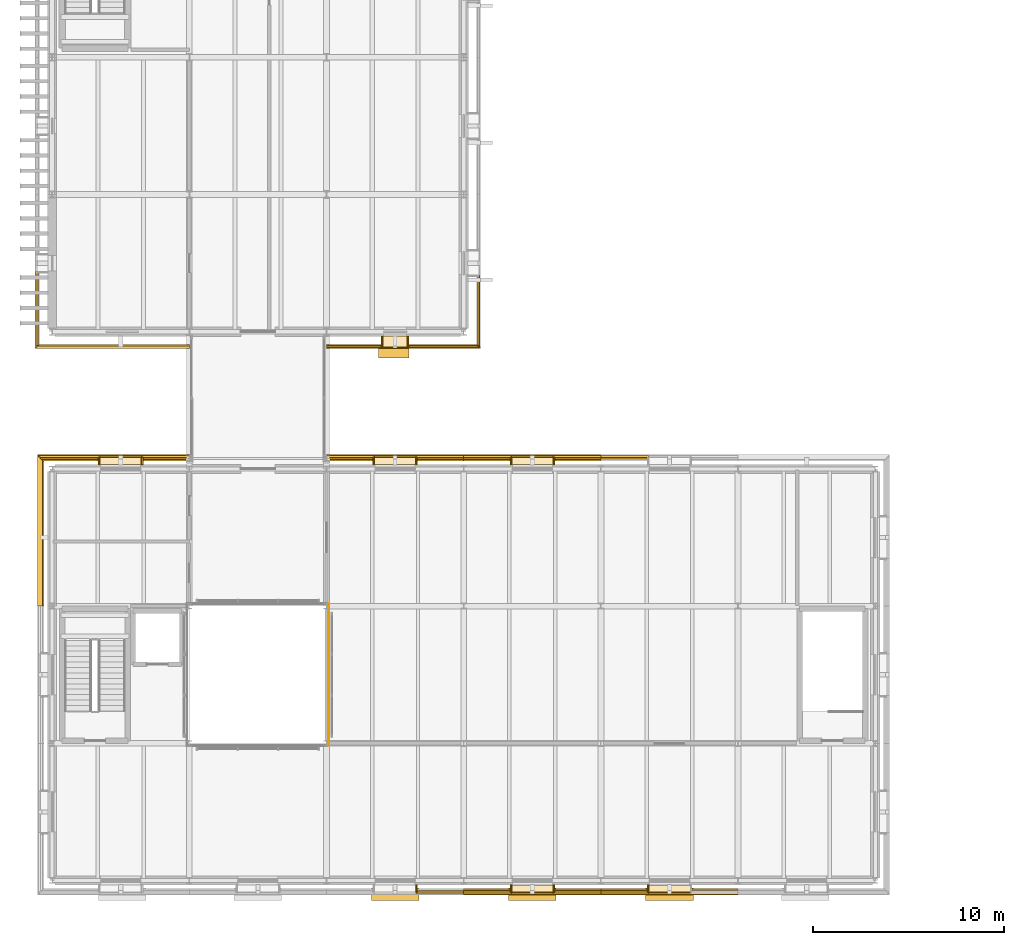
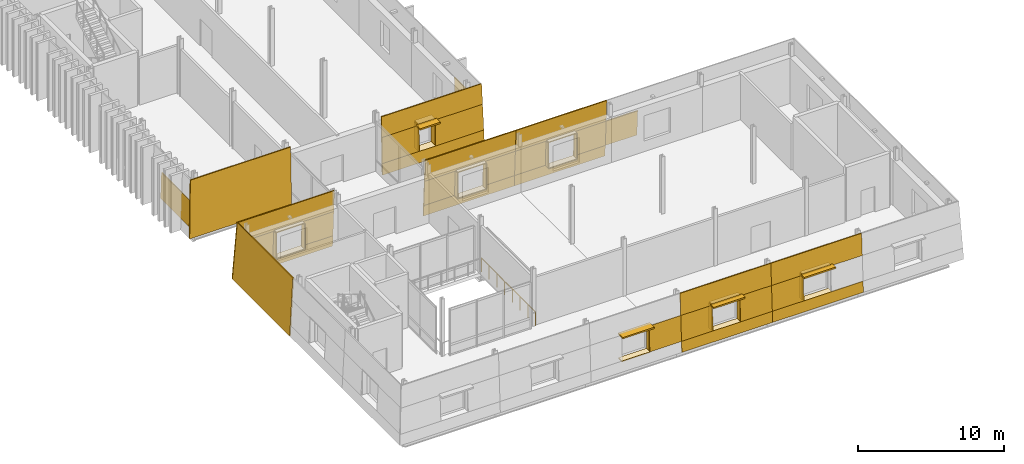
# One storey, part 100 of 121: 54 coverings, 4 shading devices, 1 railing.
"""IFC4 building model written with IfcOpenShell, lengths in metres."""

from ifc_helpers import new_model, si_unit, direction, frame, origin, origin_2d, place, context, subcontext, project, spatial, polyline, rectangle, circle, outline, extrude, material, layer, layer_set, type_object, element, save


model = new_model("IFC4")

# Units and contexts
model_context = context("Model", 3, precision=1e-05, world=origin(), true_north=direction((0.0, 1.0)))
body_context = subcontext(model_context, "Body", "Model", "MODEL_VIEW")
ifc_project = project(units=[si_unit("LENGTHUNIT", "METRE"), si_unit("AREAUNIT", "SQUARE_METRE"), si_unit("VOLUMEUNIT", "CUBIC_METRE"), si_unit("PLANEANGLEUNIT", "RADIAN"), si_unit("MASSUNIT", "GRAM", prefix="KILO")], contexts=[model_context])

# Site, building, storey
site_placement = place(None, origin())
site = spatial("IfcSite", under=ifc_project, at=site_placement, CompositionType="ELEMENT")
building_placement = place(site_placement, origin())
building = spatial("IfcBuilding", under=site, at=building_placement, Name="Narikvali Park Central Library", CompositionType="ELEMENT")
storey_placement = place(building_placement, frame((0.0, 0.0, 5.39990234375)))
storey = spatial("IfcBuildingStorey", under=building, at=storey_placement, Name="L01", CompositionType="ELEMENT", Elevation=5.39990234375)

# Railing
ifc_material_1 = material(Name="Laminated Tempered Glass and Stainless Steel", Category="steel")
ifc_layer_1 = layer(ifc_material_1, 0.06005859375, Name="Laminated Tempered Glass and Stainless Steel")
ifc_layer_set_1 = layer_set([ifc_layer_1], Name="Laminated Tempered Glass and Stainless Steel")
railing_type = type_object("IfcRailingType", Name="Atrium Void Tempered Glass Guardrail 1150", PredefinedType="GUARDRAIL", material=ifc_layer_set_1)
railing_placement = place(storey_placement, frame((14.52001953125, 7.080078125, 0.0)))
element("IfcRailing", 1, at=railing_placement, inside=storey, type_object=railing_type, Name="V2 L01 Void Edge Guardrail E", PredefinedType="GUARDRAIL", context=body_context, shape_type="SweptSolid", body=[
    extrude(circle(Radius=0.02392578125, at=origin_2d()), frame((0.0, 0.0, 1.1259765625), z_axis=(0.0, 1.0, 0.0), x_axis=(-1.0, 0.0, 0.0)), (0.0, 0.0, 1.0), 7.43994140625),
    extrude(circle(Radius=0.02099609375, at=origin_2d()), origin(), (0.0, 0.0, 1.0), 1.101806640625),
    extrude(circle(Radius=0.02099609375, at=origin_2d()), frame((0.0, 1.062744140625, 0.0)), (0.0, 0.0, 1.0), 1.101806640625),
    extrude(circle(Radius=0.02099609375, at=origin_2d()), frame((0.0, 2.125732421875, 0.0)), (0.0, 0.0, 1.0), 1.101806640625),
    extrude(circle(Radius=0.02099609375, at=origin_2d()), frame((0.0, 3.1884765625, 0.0)), (0.0, 0.0, 1.0), 1.101806640625),
    extrude(circle(Radius=0.02099609375, at=origin_2d()), frame((0.0, 4.25146484375, 0.0)), (0.0, 0.0, 1.0), 1.101806640625),
    extrude(circle(Radius=0.02099609375, at=origin_2d()), frame((0.0, 5.314208984375, 0.0)), (0.0, 0.0, 1.0), 1.101806640625),
    extrude(circle(Radius=0.02099609375, at=origin_2d()), frame((0.0, 6.377197265625, 0.0)), (0.0, 0.0, 1.0), 1.101806640625),
    extrude(circle(Radius=0.02099609375, at=origin_2d()), frame((0.0, 7.43994140625, 0.0)), (0.0, 0.0, 1.0), 1.101806640625),
])

# Coverings
ifc_material_2 = material(Name="White Honed Limestone Cladding", Category="masonry")
ifc_layer_2 = layer(ifc_material_2, 0.0849609375, Name="White Honed Limestone Cladding")
ifc_layer_set_2 = layer_set([ifc_layer_2], Name="White Honed Limestone Cladding")
covering_type_1 = type_object("IfcCoveringType", Name="Battered White Limestone Facade Cladding Panel", PredefinedType="CLADDING", material=ifc_layer_set_2)
covering_1_placement = place(storey_placement, frame((19.090087890625, -0.711669921875, 0.900146484375), z_axis=(0.0, -0.998646227972, 0.052016452753), x_axis=(1.0, 0.0, 0.0)))
element("IfcCovering", 2, at=covering_1_placement, inside=storey, type_object=covering_type_1, Name="V2 L01 S Battered Limestone Jamb Pier R B03", PredefinedType="CLADDING", context=body_context, shape_type="SweptSolid", body=[
    extrude(outline(polyline([(0.0, 0.0), (2.510009765625, 0.0), (2.510009765625, 2.102700092192815), (0.0, 2.102700092192815), (0.0, 0.0)])), origin(), (0.0, 0.0, -1.0), 0.0849609375),
])
covering_2_placement = place(storey_placement, frame((21.60009765625, -0.758544921875, 0.0), z_axis=(0.0, -0.998646856064, 0.05200439283), x_axis=(1.0, 0.0, 0.0)))
element("IfcCovering", 3, at=covering_2_placement, inside=storey, type_object=covering_type_1, Name="V2 L01 S Battered Limestone Spandrel B04", PredefinedType="CLADDING", context=body_context, shape_type="SweptSolid", body=[
    extrude(outline(polyline([(0.0, 0.0), (7.199951171875, 0.0), (7.199951171875, 0.9013661625320046), (0.0, 0.9013661625320046), (0.0, 0.0)])), origin(), (0.0, 0.0, -1.0), 0.0849609375),
])
covering_3_placement = place(storey_placement, frame((21.60009765625, -0.602294921875, 3.0), z_axis=(0.0, -0.998639445418, 0.052146505695), x_axis=(1.0, 0.0, 0.0)))
element("IfcCovering", 4, at=covering_3_placement, inside=storey, type_object=covering_type_1, Name="V2 L01 S Battered Limestone Lintel B04", PredefinedType="CLADDING", context=body_context, shape_type="SweptSolid", body=[
    extrude(outline(polyline([(0.0, 0.0), (7.199951171875, 0.0), (7.199951171875, 1.8025012294325955), (0.0, 1.8025012294325955), (0.0, 0.0)])), origin(), (0.0, 0.0, -1.0), 0.0849609375),
])
for number, where, z_axis, x_axis, name in (
    (5, (21.60009765625, -0.711669921875, 0.900146484375), (0.0, -0.998646227972, 0.052016452753), (1.0, 0.0, 0.0), "V2 L01 S Battered Limestone Jamb Pier L B04"),
    (6, (26.2900390625, -0.711669921875, 0.900146484375), (0.0, -0.998646227972, 0.052016452753), (1.0, 0.0, 0.0), "V2 L01 S Battered Limestone Jamb Pier R B04"),
):
    element("IfcCovering", number, at=place(storey_placement, frame(where, z_axis=z_axis, x_axis=x_axis)), inside=storey, type_object=covering_type_1, Name=name, PredefinedType="CLADDING", context=body_context, shape_type="SweptSolid", body=[
        extrude(outline(polyline([(0.0, 0.0), (2.510009765625, 0.0), (2.510009765625, 2.102700092192815), (0.0, 2.102700092192815), (0.0, 0.0)])), origin(), (0.0, 0.0, -1.0), 0.0849609375),
    ])
covering_4_placement = place(storey_placement, frame((28.800048828125, -0.758544921875, 0.0), z_axis=(0.0, -0.998646856064, 0.05200439283), x_axis=(1.0, 0.0, 0.0)))
element("IfcCovering", 7, at=covering_4_placement, inside=storey, type_object=covering_type_1, Name="V2 L01 S Battered Limestone Spandrel B05", PredefinedType="CLADDING", context=body_context, shape_type="SweptSolid", body=[
    extrude(outline(polyline([(0.0, 0.0), (7.199951171875, 0.0), (7.199951171875, 0.9013661625320046), (0.0, 0.9013661625320046), (0.0, 0.0)])), origin(), (0.0, 0.0, -1.0), 0.0849609375),
])
covering_5_placement = place(storey_placement, frame((28.800048828125, -0.602294921875, 3.0), z_axis=(0.0, -0.998639445418, 0.052146505695), x_axis=(1.0, 0.0, 0.0)))
element("IfcCovering", 8, at=covering_5_placement, inside=storey, type_object=covering_type_1, Name="V2 L01 S Battered Limestone Lintel B05", PredefinedType="CLADDING", context=body_context, shape_type="SweptSolid", body=[
    extrude(outline(polyline([(0.0, 0.0), (7.199951171875, 0.0), (7.199951171875, 1.8025012294325955), (0.0, 1.8025012294325955), (0.0, 0.0)])), origin(), (0.0, 0.0, -1.0), 0.0849609375),
])
covering_6_placement = place(storey_placement, frame((28.800048828125, -0.711669921875, 0.900146484375), z_axis=(0.0, -0.998646227972, 0.052016452753), x_axis=(1.0, 0.0, 0.0)))
element("IfcCovering", 9, at=covering_6_placement, inside=storey, type_object=covering_type_1, Name="V2 L01 S Battered Limestone Jamb Pier L B05", PredefinedType="CLADDING", context=body_context, shape_type="SweptSolid", body=[
    extrude(outline(polyline([(0.0, 0.0), (2.510009765625, 0.0), (2.510009765625, 2.102700092192815), (0.0, 2.102700092192815), (0.0, 0.0)])), origin(), (0.0, 0.0, -1.0), 0.0849609375),
])
covering_7_placement = place(storey_placement, frame((31.31005859375, 22.311767578125, 0.900146484375), z_axis=(0.0, 0.998640189937, 0.052132245702), x_axis=(-1.0, 0.0, 0.0)))
element("IfcCovering", 10, at=covering_7_placement, inside=storey, type_object=covering_type_1, Name="V2 L01 N Battered Limestone Jamb Pier R B02", PredefinedType="CLADDING", context=body_context, shape_type="SweptSolid", body=[
    extrude(outline(polyline([(0.0, 0.0), (2.510009765625, 0.0), (2.510009765625, 2.1027128056570246), (0.0, 2.1027128056570246), (0.0, 0.0)])), origin(), (0.0, 0.0, -1.0), 0.0849609375),
])
covering_8_placement = place(storey_placement, frame((28.800048828125, 22.358642578125, 0.0), z_axis=(0.0, 0.998646856064, 0.05200439283), x_axis=(-1.0, 0.0, 0.0)))
element("IfcCovering", 11, at=covering_8_placement, inside=storey, type_object=covering_type_1, Name="V2 L01 N Battered Limestone Spandrel B03", PredefinedType="CLADDING", context=body_context, shape_type="SweptSolid", body=[
    extrude(outline(polyline([(0.0, 0.0), (7.199951171875, 0.0), (7.199951171875, 0.9013661625320046), (0.0, 0.9013661625320046), (0.0, 0.0)])), origin(), (0.0, 0.0, -1.0), 0.0849609375),
])
covering_9_placement = place(storey_placement, frame((28.800048828125, 22.2021484375, 3.0), z_axis=(0.0, 0.99864648973, 0.052011427107), x_axis=(-1.0, 0.0, 0.0)))
element("IfcCovering", 12, at=covering_9_placement, inside=storey, type_object=covering_type_1, Name="V2 L01 N Battered Limestone Lintel B03", PredefinedType="CLADDING", context=body_context, shape_type="SweptSolid", body=[
    extrude(outline(polyline([(0.0, 0.0), (7.199951171875, 0.0), (7.199951171875, 1.802488514841131), (0.0, 1.802488514841131), (0.0, 0.0)])), origin(), (0.0, 0.0, -1.0), 0.0849609375),
])
for number, where, z_axis, x_axis, name in (
    (13, (28.800048828125, 22.311767578125, 0.900146484375), (0.0, 0.998640189937, 0.052132245702), (-1.0, 0.0, 0.0), "V2 L01 N Battered Limestone Jamb Pier L B03"),
    (14, (24.110107421875, 22.311767578125, 0.900146484375), (0.0, 0.998640189937, 0.052132245702), (-1.0, 0.0, 0.0), "V2 L01 N Battered Limestone Jamb Pier R B03"),
):
    element("IfcCovering", number, at=place(storey_placement, frame(where, z_axis=z_axis, x_axis=x_axis)), inside=storey, type_object=covering_type_1, Name=name, PredefinedType="CLADDING", context=body_context, shape_type="SweptSolid", body=[
        extrude(outline(polyline([(0.0, 0.0), (2.510009765625, 0.0), (2.510009765625, 2.1027128056570246), (0.0, 2.1027128056570246), (0.0, 0.0)])), origin(), (0.0, 0.0, -1.0), 0.0849609375),
    ])
covering_10_placement = place(storey_placement, frame((21.60009765625, 22.358642578125, 0.0), z_axis=(0.0, 0.998646856064, 0.05200439283), x_axis=(-1.0, 0.0, 0.0)))
element("IfcCovering", 15, at=covering_10_placement, inside=storey, type_object=covering_type_1, Name="V2 L01 N Battered Limestone Spandrel B04", PredefinedType="CLADDING", context=body_context, shape_type="SweptSolid", body=[
    extrude(outline(polyline([(0.0, 0.0), (7.2001953125, 0.0), (7.2001953125, 0.9013661625320046), (0.0, 0.9013661625320046), (0.0, 0.0)])), origin(), (0.0, 0.0, -1.0), 0.0849609375),
])
covering_11_placement = place(storey_placement, frame((21.60009765625, 22.2021484375, 3.0), z_axis=(0.0, 0.99864648973, 0.052011427107), x_axis=(-1.0, 0.0, 0.0)))
element("IfcCovering", 16, at=covering_11_placement, inside=storey, type_object=covering_type_1, Name="V2 L01 N Battered Limestone Lintel B04", PredefinedType="CLADDING", context=body_context, shape_type="SweptSolid", body=[
    extrude(outline(polyline([(0.0, 0.0), (7.2001953125, 0.0), (7.2001953125, 1.802488514841131), (0.0, 1.802488514841131), (0.0, 0.0)])), origin(), (0.0, 0.0, -1.0), 0.0849609375),
])
for number, where, z_axis, x_axis, name in (
    (17, (21.60009765625, 22.311767578125, 0.900146484375), (0.0, 0.998640189937, 0.052132245702), (-1.0, 0.0, 0.0), "V2 L01 N Battered Limestone Jamb Pier L B04"),
    (18, (16.909912109375, 22.311767578125, 0.900146484375), (0.0, 0.998640189937, 0.052132245702), (-1.0, 0.0, 0.0), "V2 L01 N Battered Limestone Jamb Pier R B04"),
):
    element("IfcCovering", number, at=place(storey_placement, frame(where, z_axis=z_axis, x_axis=x_axis)), inside=storey, type_object=covering_type_1, Name=name, PredefinedType="CLADDING", context=body_context, shape_type="SweptSolid", body=[
        extrude(outline(polyline([(0.0, 0.0), (2.510009765625, 0.0), (2.510009765625, 2.1027128056570246), (0.0, 2.1027128056570246), (0.0, 0.0)])), origin(), (0.0, 0.0, -1.0), 0.0849609375),
    ])
covering_12_placement = place(storey_placement, frame((7.199951171875, 22.358642578125, 0.0), z_axis=(0.0, 0.998646856064, 0.05200439283), x_axis=(-1.0, 0.0, 0.0)))
element("IfcCovering", 19, at=covering_12_placement, inside=storey, type_object=covering_type_1, Name="V2 L01 N Battered Limestone Spandrel B06", PredefinedType="CLADDING", context=body_context, shape_type="SweptSolid", body=[
    extrude(outline(polyline([(0.0, 0.0), (7.95849609375, 0.0), (7.91162109375, 0.9013661625320046), (0.0, 0.9013661625320046), (0.0, 0.0)])), origin(), (0.0, 0.0, -1.0), 0.0849609375),
])
covering_13_placement = place(storey_placement, frame((7.199951171875, 22.2021484375, 3.0), z_axis=(0.0, 0.99864648973, 0.052011427107), x_axis=(-1.0, 0.0, 0.0)))
element("IfcCovering", 20, at=covering_13_placement, inside=storey, type_object=covering_type_1, Name="V2 L01 N Battered Limestone Lintel B06", PredefinedType="CLADDING", context=body_context, shape_type="SweptSolid", body=[
    extrude(outline(polyline([(0.0, 0.0), (7.80224609375, 0.0), (7.708251953125, 1.802488514841131), (0.0, 1.802488514841131), (0.0, 0.0)])), origin(), (0.0, 0.0, -1.0), 0.0849609375),
])
covering_14_placement = place(storey_placement, frame((7.199951171875, 22.311767578125, 0.900146484375), z_axis=(0.0, 0.998640189937, 0.052132245702), x_axis=(-1.0, 0.0, 0.0)))
element("IfcCovering", 21, at=covering_14_placement, inside=storey, type_object=covering_type_1, Name="V2 L01 N Battered Limestone Jamb Pier L B06", PredefinedType="CLADDING", context=body_context, shape_type="SweptSolid", body=[
    extrude(outline(polyline([(0.0, 0.0), (2.510009765625, 0.0), (2.510009765625, 2.1027128056570246), (0.0, 2.1027128056570246), (0.0, 0.0)])), origin(), (0.0, 0.0, -1.0), 0.0849609375),
])
covering_15_placement = place(storey_placement, frame((2.510009765625, 22.311767578125, 0.900146484375), z_axis=(0.0, 0.998640189937, 0.052132245702), x_axis=(-1.0, 0.0, 0.0)))
element("IfcCovering", 22, at=covering_15_placement, inside=storey, type_object=covering_type_1, Name="V2 L01 N Battered Limestone Jamb Pier R B06", PredefinedType="CLADDING", context=body_context, shape_type="SweptSolid", body=[
    extrude(outline(polyline([(0.0, 0.0), (3.2216796875, 0.0), (3.1123046875, 2.1027128056570246), (0.0, 2.1027128056570246), (0.0, 0.0)])), origin(), (0.0, 0.0, -1.0), 0.0849609375),
])
covering_16_placement = place(storey_placement, frame((-0.758544921875, 22.273681640625, 0.0), z_axis=(-0.998643804351, 0.0, 0.052062962182), x_axis=(0.0, -1.0, 0.0)))
element("IfcCovering", 23, at=covering_16_placement, inside=storey, type_object=covering_type_1, Name="V2 L01 W Battered Limestone Panel B01", PredefinedType="CLADDING", context=body_context, shape_type="SweptSolid", body=[
    extrude(outline(polyline([(0.0, 0.0), (7.873779296875, 0.0), (7.873779296875, 4.80656747401941), (0.250244140625, 4.80656747401941), (0.0, 0.0)])), origin(), (0.0, 0.0, -1.0), 0.0849609375),
])
covering_17_placement = place(storey_placement, frame((-0.88671875, 27.9130859375, 0.0), z_axis=(0.0, -0.999597500885, 0.028369635598), x_axis=(1.0, 0.0, 0.0)))
element("IfcCovering", 24, at=covering_17_placement, inside=storey, type_object=covering_type_1, Name="V5 L01 S Battered Limestone Panel B01", PredefinedType="CLADDING", context=body_context, shape_type="SweptSolid", body=[
    extrude(outline(polyline([(0.0, 0.0), (8.086669921875, 0.0), (8.086669921875, 4.8019816214767035), (0.13623046875, 4.8019816214767035), (0.0, 0.0)])), origin(), (0.0, 0.0, -1.0), 0.0849609375),
])
covering_18_placement = place(storey_placement, frame((14.39990234375, 27.9130859375, 0.0), z_axis=(0.0, -0.999593551562, 0.028508449184), x_axis=(1.0, 0.0, 0.0)))
element("IfcCovering", 25, at=covering_18_placement, inside=storey, type_object=covering_type_1, Name="V5 L01 S Battered Limestone Spandrel B03", PredefinedType="CLADDING", context=body_context, shape_type="SweptSolid", body=[
    extrude(outline(polyline([(0.0, 0.0), (8.0869140625, 0.0), (8.06005859375, 0.9505816749365887), (0.0, 0.9505816749365887), (0.0, 0.0)])), origin(), (0.0, 0.0, -1.0), 0.0849609375),
])
covering_19_placement = place(storey_placement, frame((14.39990234375, 28.001220703125, 3.10009765625), z_axis=(0.0, -0.999600010091, 0.028281086024), x_axis=(1.0, 0.0, 0.0)))
element("IfcCovering", 26, at=covering_19_placement, inside=storey, type_object=covering_type_1, Name="V5 L01 S Battered Limestone Lintel B03", PredefinedType="CLADDING", context=body_context, shape_type="SweptSolid", body=[
    extrude(outline(polyline([(0.0, 0.0), (7.9990234375, 0.0), (7.95068359375, 1.7006314072773894), (0.0, 1.7006314072773894), (0.0, 0.0)])), origin(), (0.0, 0.0, -1.0), 0.0849609375),
])
covering_20_placement = place(storey_placement, frame((14.39990234375, 27.940185546875, 0.9501953125), z_axis=(0.0, -0.99959725493, 0.028378300447), x_axis=(1.0, 0.0, 0.0)))
element("IfcCovering", 27, at=covering_20_placement, inside=storey, type_object=covering_type_1, Name="V5 L01 S Battered Limestone Jamb Pier L B03", PredefinedType="CLADDING", context=body_context, shape_type="SweptSolid", body=[
    extrude(outline(polyline([(0.0, 0.0), (2.960205078125, 0.0), (2.960205078125, 2.150768555182125), (0.0, 2.150768555182125), (0.0, 0.0)])), origin(), (0.0, 0.0, -1.0), 0.0849609375),
])
covering_21_placement = place(storey_placement, frame((18.639892578125, 27.940185546875, 0.9501953125), z_axis=(0.0, -0.99959725493, 0.028378300447), x_axis=(1.0, 0.0, 0.0)))
element("IfcCovering", 28, at=covering_21_placement, inside=storey, type_object=covering_type_1, Name="V5 L01 S Battered Limestone Jamb Pier R B03", PredefinedType="CLADDING", context=body_context, shape_type="SweptSolid", body=[
    extrude(outline(polyline([(0.0, 0.0), (3.820068359375, 0.0), (3.759033203125, 2.150768555182125), (0.0, 2.150768555182125), (0.0, 0.0)])), origin(), (0.0, 0.0, -1.0), 0.0849609375),
])
covering_22_placement = place(storey_placement, frame((22.4599609375, 28.025146484375, 0.9501953125), z_axis=(0.99959725493, 0.0, 0.028378300447), x_axis=(0.0, 1.0, 0.0)))
element("IfcCovering", 29, at=covering_22_placement, inside=storey, type_object=covering_type_1, Name="V5 L01 E Battered Limestone Jamb Pier L B01", PredefinedType="CLADDING", context=body_context, shape_type="SweptSolid", body=[
    extrude(outline(polyline([(0.0, 0.0), (3.73486328125, 0.0), (3.73486328125, 2.150768555182125), (0.06103515625, 2.150768555182125), (0.0, 0.0)])), origin(), (0.0, 0.0, -1.0), 0.0849609375),
])
covering_23_placement = place(storey_placement, frame((-0.85986328125, 31.9599609375, 0.9501953125), z_axis=(-0.99959725493, 0.0, 0.028378300447), x_axis=(0.0, -1.0, 0.0)))
element("IfcCovering", 30, at=covering_23_placement, inside=storey, type_object=covering_type_1, Name="V5 L01 W Battered Limestone Jamb Pier R B11", PredefinedType="CLADDING", context=body_context, shape_type="SweptSolid", body=[
    extrude(outline(polyline([(0.0, 0.0), (3.934814453125, 0.0), (3.873779296875, 2.150768555182125), (0.0, 2.150768555182125), (0.0, 0.0)])), origin(), (0.0, 0.0, -1.0), 0.0849609375),
])

# Shading devices
ifc_material_3 = material(Name="Anodised Bronze Aluminium", Category="aluminium")
ifc_layer_3 = layer(ifc_material_3, 0.1201171875, Name="Anodised Bronze Aluminium")
ifc_layer_set_3 = layer_set([ifc_layer_3], Name="Anodised Bronze Aluminium")
shading_device_type = type_object("IfcShadingDeviceType", Name="Bronze Classical Cornice Sun Brise-Soleil 650", PredefinedType="SHUTTER", material=ifc_layer_set_3)
for number, where, z_axis, x_axis, name in (
    (31, (18.0, -0.719970703125, 3.0), (0.0, 0.0, 1.0), (1.0, 0.0, 0.0), "V2 L01 Classical Bronze Brise-Soleil 03"),
    (32, (25.199951171875, -0.719970703125, 3.0), (0.0, 0.0, 1.0), (1.0, 0.0, 0.0), "V2 L01 Classical Bronze Brise-Soleil 04"),
    (33, (32.39990234375, -0.719970703125, 3.0), (0.0, 0.0, 1.0), (1.0, 0.0, 0.0), "V2 L01 Classical Bronze Brise-Soleil 05"),
):
    element("IfcShadingDevice", number, at=place(storey_placement, frame(where, z_axis=z_axis, x_axis=x_axis)), inside=storey, type_object=shading_device_type, Name=name, PredefinedType="SHUTTER", context=body_context, shape_type="SweptSolid", body=[
        extrude(rectangle(XDim=2.5, YDim=0.64990234375, at=origin_2d()), origin(), (0.0, 0.0, 1.0), 0.1201171875),
    ])
shading_device_placement = place(storey_placement, frame((17.9208984375, 27.760986328125, 3.10009765625), z_axis=(0.0, 0.0, 1.0), x_axis=(1.0, 0.0, 0.0)))
element("IfcShadingDevice", 34, at=shading_device_placement, inside=storey, type_object=shading_device_type, Name="V5 L01 Classical Bronze Brise-Soleil 03", PredefinedType="SHUTTER", context=body_context, shape_type="SweptSolid", body=[
    extrude(rectangle(XDim=1.60009765625, YDim=0.64990234375, at=origin_2d()), origin(), (0.0, 0.0, 1.0), 0.1201171875),
])

# Coverings
ifc_layer_4 = layer(ifc_material_2, 0.080078125, Name="White Honed Limestone Cladding")
ifc_layer_set_4 = layer_set([ifc_layer_4], Name="White Honed Limestone Cladding")
covering_type_2 = type_object("IfcCoveringType", Name="Deep Carved White Limestone Window Reveal", PredefinedType="CLADDING", material=ifc_layer_set_4)
covering_24_placement = place(storey_placement, frame((0.0, 0.0, 0.820068359375)))
element("IfcCovering", 35, at=covering_24_placement, inside=storey, type_object=covering_type_2, Name="Deep Stone Reveal Sill V2-RVL-L01-S-B03", PredefinedType="CLADDING", context=body_context, shape_type="SweptSolid", body=[
    extrude(outline(polyline([(16.8701171875, -0.22509765625), (19.1298828125, -0.22509765625), (19.1298828125, -0.711669921875), (16.8701171875, -0.711669921875), (16.8701171875, -0.22509765625)])), origin(), (0.0, 0.0, 1.0), 0.080078125),
])
covering_25_placement = place(storey_placement, frame((0.0, 0.0, 0.900146484375)))
element("IfcCovering", 36, at=covering_25_placement, inside=storey, type_object=covering_type_2, Name="Deep Stone Reveal Jamb R V2-RVL-L01-S-B03", PredefinedType="CLADDING", context=body_context, shape_type="SweptSolid", body=[
    extrude(outline(polyline([(19.090087890625, -0.22509765625), (19.169921875, -0.22509765625), (19.169921875, -0.602294921875), (19.090087890625, -0.602294921875), (19.090087890625, -0.22509765625)])), origin(), (0.0, 0.0, 1.0), 2.099853515625),
])
covering_26_placement = place(storey_placement, frame((0.0, 0.0, 3.0)))
element("IfcCovering", 37, at=covering_26_placement, inside=storey, type_object=covering_type_2, Name="Deep Stone Reveal Head V2-RVL-L01-S-B04", PredefinedType="CLADDING", context=body_context, shape_type="SweptSolid", body=[
    extrude(outline(polyline([(24.070068359375, -0.22509765625), (26.330078125, -0.22509765625), (26.330078125, -0.602294921875), (24.070068359375, -0.602294921875), (24.070068359375, -0.22509765625)])), origin(), (0.0, 0.0, 1.0), 0.080078125),
])
covering_27_placement = place(storey_placement, frame((0.0, 0.0, 0.820068359375)))
element("IfcCovering", 38, at=covering_27_placement, inside=storey, type_object=covering_type_2, Name="Deep Stone Reveal Sill V2-RVL-L01-S-B04", PredefinedType="CLADDING", context=body_context, shape_type="SweptSolid", body=[
    extrude(outline(polyline([(24.070068359375, -0.22509765625), (26.330078125, -0.22509765625), (26.330078125, -0.711669921875), (24.070068359375, -0.711669921875), (24.070068359375, -0.22509765625)])), origin(), (0.0, 0.0, 1.0), 0.080078125),
])
covering_28_placement = place(storey_placement, frame((0.0, 0.0, 0.900146484375)))
element("IfcCovering", 39, at=covering_28_placement, inside=storey, type_object=covering_type_2, Name="Deep Stone Reveal Jamb L V2-RVL-L01-S-B04", PredefinedType="CLADDING", context=body_context, shape_type="SweptSolid", body=[
    extrude(outline(polyline([(24.030029296875, -0.22509765625), (24.110107421875, -0.22509765625), (24.110107421875, -0.602294921875), (24.030029296875, -0.602294921875), (24.030029296875, -0.22509765625)])), origin(), (0.0, 0.0, 1.0), 2.099853515625),
])
covering_29_placement = place(storey_placement, frame((0.0, 0.0, 0.900146484375)))
element("IfcCovering", 40, at=covering_29_placement, inside=storey, type_object=covering_type_2, Name="Deep Stone Reveal Jamb R V2-RVL-L01-S-B04", PredefinedType="CLADDING", context=body_context, shape_type="SweptSolid", body=[
    extrude(outline(polyline([(26.2900390625, -0.22509765625), (26.3701171875, -0.22509765625), (26.3701171875, -0.602294921875), (26.2900390625, -0.602294921875), (26.2900390625, -0.22509765625)])), origin(), (0.0, 0.0, 1.0), 2.099853515625),
])
covering_30_placement = place(storey_placement, frame((0.0, 0.0, 3.0)))
element("IfcCovering", 41, at=covering_30_placement, inside=storey, type_object=covering_type_2, Name="Deep Stone Reveal Head V2-RVL-L01-S-B05", PredefinedType="CLADDING", context=body_context, shape_type="SweptSolid", body=[
    extrude(outline(polyline([(31.27001953125, -0.22509765625), (33.530029296875, -0.22509765625), (33.530029296875, -0.602294921875), (31.27001953125, -0.602294921875), (31.27001953125, -0.22509765625)])), origin(), (0.0, 0.0, 1.0), 0.080078125),
])
covering_31_placement = place(storey_placement, frame((0.0, 0.0, 0.820068359375)))
element("IfcCovering", 42, at=covering_31_placement, inside=storey, type_object=covering_type_2, Name="Deep Stone Reveal Sill V2-RVL-L01-S-B05", PredefinedType="CLADDING", context=body_context, shape_type="SweptSolid", body=[
    extrude(outline(polyline([(31.27001953125, -0.22509765625), (33.530029296875, -0.22509765625), (33.530029296875, -0.711669921875), (31.27001953125, -0.711669921875), (31.27001953125, -0.22509765625)])), origin(), (0.0, 0.0, 1.0), 0.080078125),
])
covering_32_placement = place(storey_placement, frame((0.0, 0.0, 0.900146484375)))
element("IfcCovering", 43, at=covering_32_placement, inside=storey, type_object=covering_type_2, Name="Deep Stone Reveal Jamb L V2-RVL-L01-S-B05", PredefinedType="CLADDING", context=body_context, shape_type="SweptSolid", body=[
    extrude(outline(polyline([(31.22998046875, -0.22509765625), (31.31005859375, -0.22509765625), (31.31005859375, -0.602294921875), (31.22998046875, -0.602294921875), (31.22998046875, -0.22509765625)])), origin(), (0.0, 0.0, 1.0), 2.099853515625),
])
covering_33_placement = place(storey_placement, frame((0.0, 0.0, 3.0)))
element("IfcCovering", 44, at=covering_33_placement, inside=storey, type_object=covering_type_2, Name="Deep Stone Reveal Head V2-RVL-L01-N-B03", PredefinedType="CLADDING", context=body_context, shape_type="SweptSolid", body=[
    extrude(outline(polyline([(26.330078125, 21.824951171875), (24.070068359375, 21.824951171875), (24.070068359375, 22.2021484375), (26.330078125, 22.2021484375), (26.330078125, 21.824951171875)])), origin(), (0.0, 0.0, 1.0), 0.080078125),
])
covering_34_placement = place(storey_placement, frame((0.0, 0.0, 0.820068359375)))
element("IfcCovering", 45, at=covering_34_placement, inside=storey, type_object=covering_type_2, Name="Deep Stone Reveal Sill V2-RVL-L01-N-B03", PredefinedType="CLADDING", context=body_context, shape_type="SweptSolid", body=[
    extrude(outline(polyline([(26.330078125, 21.824951171875), (24.070068359375, 21.824951171875), (24.070068359375, 22.311767578125), (26.330078125, 22.311767578125), (26.330078125, 21.824951171875)])), origin(), (0.0, 0.0, 1.0), 0.080078125),
])
covering_35_placement = place(storey_placement, frame((0.0, 0.0, 0.900146484375)))
element("IfcCovering", 46, at=covering_35_placement, inside=storey, type_object=covering_type_2, Name="Deep Stone Reveal Jamb L V2-RVL-L01-N-B03", PredefinedType="CLADDING", context=body_context, shape_type="SweptSolid", body=[
    extrude(outline(polyline([(26.3701171875, 21.824951171875), (26.2900390625, 21.824951171875), (26.2900390625, 22.2021484375), (26.3701171875, 22.2021484375), (26.3701171875, 21.824951171875)])), origin(), (0.0, 0.0, 1.0), 2.099853515625),
])
covering_36_placement = place(storey_placement, frame((0.0, 0.0, 0.900146484375)))
element("IfcCovering", 47, at=covering_36_placement, inside=storey, type_object=covering_type_2, Name="Deep Stone Reveal Jamb R V2-RVL-L01-N-B03", PredefinedType="CLADDING", context=body_context, shape_type="SweptSolid", body=[
    extrude(outline(polyline([(24.110107421875, 21.824951171875), (24.030029296875, 21.824951171875), (24.030029296875, 22.2021484375), (24.110107421875, 22.2021484375), (24.110107421875, 21.824951171875)])), origin(), (0.0, 0.0, 1.0), 2.099853515625),
])
covering_37_placement = place(storey_placement, frame((0.0, 0.0, 3.0)))
element("IfcCovering", 48, at=covering_37_placement, inside=storey, type_object=covering_type_2, Name="Deep Stone Reveal Head V2-RVL-L01-N-B04", PredefinedType="CLADDING", context=body_context, shape_type="SweptSolid", body=[
    extrude(outline(polyline([(19.1298828125, 21.824951171875), (16.8701171875, 21.824951171875), (16.8701171875, 22.2021484375), (19.1298828125, 22.2021484375), (19.1298828125, 21.824951171875)])), origin(), (0.0, 0.0, 1.0), 0.080078125),
])
covering_38_placement = place(storey_placement, frame((0.0, 0.0, 0.820068359375)))
element("IfcCovering", 49, at=covering_38_placement, inside=storey, type_object=covering_type_2, Name="Deep Stone Reveal Sill V2-RVL-L01-N-B04", PredefinedType="CLADDING", context=body_context, shape_type="SweptSolid", body=[
    extrude(outline(polyline([(19.1298828125, 21.824951171875), (16.8701171875, 21.824951171875), (16.8701171875, 22.311767578125), (19.1298828125, 22.311767578125), (19.1298828125, 21.824951171875)])), origin(), (0.0, 0.0, 1.0), 0.080078125),
])
covering_39_placement = place(storey_placement, frame((0.0, 0.0, 0.900146484375)))
element("IfcCovering", 50, at=covering_39_placement, inside=storey, type_object=covering_type_2, Name="Deep Stone Reveal Jamb L V2-RVL-L01-N-B04", PredefinedType="CLADDING", context=body_context, shape_type="SweptSolid", body=[
    extrude(outline(polyline([(19.169921875, 21.824951171875), (19.090087890625, 21.824951171875), (19.090087890625, 22.2021484375), (19.169921875, 22.2021484375), (19.169921875, 21.824951171875)])), origin(), (0.0, 0.0, 1.0), 2.099853515625),
])
covering_40_placement = place(storey_placement, frame((0.0, 0.0, 0.900146484375)))
element("IfcCovering", 51, at=covering_40_placement, inside=storey, type_object=covering_type_2, Name="Deep Stone Reveal Jamb R V2-RVL-L01-N-B04", PredefinedType="CLADDING", context=body_context, shape_type="SweptSolid", body=[
    extrude(outline(polyline([(16.909912109375, 21.824951171875), (16.830078125, 21.824951171875), (16.830078125, 22.2021484375), (16.909912109375, 22.2021484375), (16.909912109375, 21.824951171875)])), origin(), (0.0, 0.0, 1.0), 2.099853515625),
])
covering_41_placement = place(storey_placement, frame((0.0, 0.0, 3.0)))
element("IfcCovering", 52, at=covering_41_placement, inside=storey, type_object=covering_type_2, Name="Deep Stone Reveal Head V2-RVL-L01-N-B06", PredefinedType="CLADDING", context=body_context, shape_type="SweptSolid", body=[
    extrude(outline(polyline([(4.72998046875, 21.824951171875), (2.469970703125, 21.824951171875), (2.469970703125, 22.2021484375), (4.72998046875, 22.2021484375), (4.72998046875, 21.824951171875)])), origin(), (0.0, 0.0, 1.0), 0.080078125),
])
covering_42_placement = place(storey_placement, frame((0.0, 0.0, 0.820068359375)))
element("IfcCovering", 53, at=covering_42_placement, inside=storey, type_object=covering_type_2, Name="Deep Stone Reveal Sill V2-RVL-L01-N-B06", PredefinedType="CLADDING", context=body_context, shape_type="SweptSolid", body=[
    extrude(outline(polyline([(4.72998046875, 21.824951171875), (2.469970703125, 21.824951171875), (2.469970703125, 22.311767578125), (4.72998046875, 22.311767578125), (4.72998046875, 21.824951171875)])), origin(), (0.0, 0.0, 1.0), 0.080078125),
])
covering_43_placement = place(storey_placement, frame((0.0, 0.0, 0.900146484375)))
element("IfcCovering", 54, at=covering_43_placement, inside=storey, type_object=covering_type_2, Name="Deep Stone Reveal Jamb L V2-RVL-L01-N-B06", PredefinedType="CLADDING", context=body_context, shape_type="SweptSolid", body=[
    extrude(outline(polyline([(4.77001953125, 21.824951171875), (4.68994140625, 21.824951171875), (4.68994140625, 22.2021484375), (4.77001953125, 22.2021484375), (4.77001953125, 21.824951171875)])), origin(), (0.0, 0.0, 1.0), 2.099853515625),
])
covering_44_placement = place(storey_placement, frame((0.0, 0.0, 0.900146484375)))
element("IfcCovering", 55, at=covering_44_placement, inside=storey, type_object=covering_type_2, Name="Deep Stone Reveal Jamb R V2-RVL-L01-N-B06", PredefinedType="CLADDING", context=body_context, shape_type="SweptSolid", body=[
    extrude(outline(polyline([(2.510009765625, 21.824951171875), (2.429931640625, 21.824951171875), (2.429931640625, 22.2021484375), (2.510009765625, 22.2021484375), (2.510009765625, 21.824951171875)])), origin(), (0.0, 0.0, 1.0), 2.099853515625),
])
covering_45_placement = place(storey_placement, frame((0.0, 0.0, 3.10009765625)))
element("IfcCovering", 56, at=covering_45_placement, inside=storey, type_object=covering_type_2, Name="Deep Stone Reveal Head V5-RVL-L01-S-B03", PredefinedType="CLADDING", context=body_context, shape_type="SweptSolid", body=[
    extrude(outline(polyline([(17.320068359375, 28.574951171875), (18.679931640625, 28.574951171875), (18.679931640625, 28.001220703125), (17.320068359375, 28.001220703125), (17.320068359375, 28.574951171875)])), origin(), (0.0, 0.0, 1.0), 0.080078125),
])
covering_46_placement = place(storey_placement, frame((0.0, 0.0, 0.8701171875)))
element("IfcCovering", 57, at=covering_46_placement, inside=storey, type_object=covering_type_2, Name="Deep Stone Reveal Sill V5-RVL-L01-S-B03", PredefinedType="CLADDING", context=body_context, shape_type="SweptSolid", body=[
    extrude(outline(polyline([(17.320068359375, 28.574951171875), (18.679931640625, 28.574951171875), (18.679931640625, 27.940185546875), (17.320068359375, 27.940185546875), (17.320068359375, 28.574951171875)])), origin(), (0.0, 0.0, 1.0), 0.080078125),
])
covering_47_placement = place(storey_placement, frame((0.0, 0.0, 0.9501953125)))
element("IfcCovering", 58, at=covering_47_placement, inside=storey, type_object=covering_type_2, Name="Deep Stone Reveal Jamb L V5-RVL-L01-S-B03", PredefinedType="CLADDING", context=body_context, shape_type="SweptSolid", body=[
    extrude(outline(polyline([(17.280029296875, 28.574951171875), (17.360107421875, 28.574951171875), (17.360107421875, 28.001220703125), (17.280029296875, 28.001220703125), (17.280029296875, 28.574951171875)])), origin(), (0.0, 0.0, 1.0), 2.14990234375),
])
covering_48_placement = place(storey_placement, frame((0.0, 0.0, 0.9501953125)))
element("IfcCovering", 59, at=covering_48_placement, inside=storey, type_object=covering_type_2, Name="Deep Stone Reveal Jamb R V5-RVL-L01-S-B03", PredefinedType="CLADDING", context=body_context, shape_type="SweptSolid", body=[
    extrude(outline(polyline([(18.639892578125, 28.574951171875), (18.719970703125, 28.574951171875), (18.719970703125, 28.001220703125), (18.639892578125, 28.001220703125), (18.639892578125, 28.574951171875)])), origin(), (0.0, 0.0, 1.0), 2.14990234375),
])

save(model, "model.ifc")
